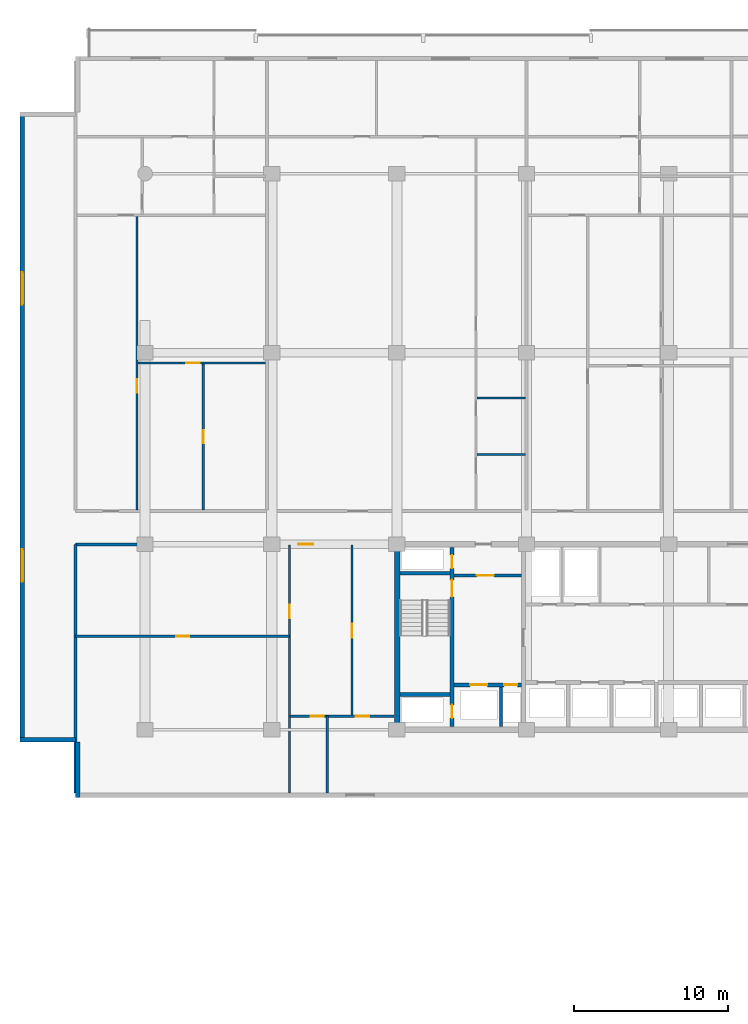
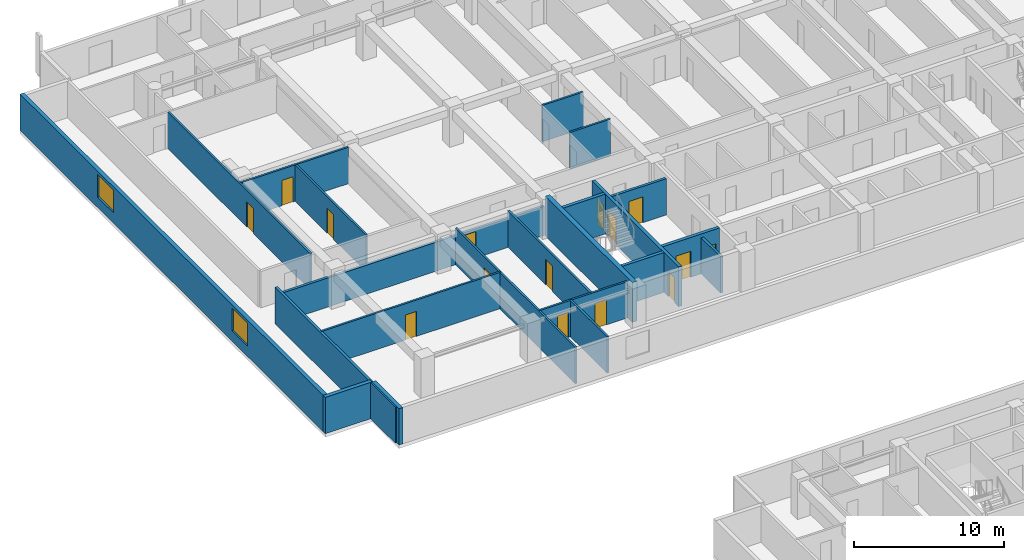
# One storey, part 9 of 23: 22 walls, 15 doors, 2 windows, 17 openings.
"""IFC4 building model written with IfcOpenShell, lengths in metres."""

from ifc_helpers import new_model, si_unit, direction, frame, frame_2d, origin, place, context, subcontext, project, spatial, rectangle, extrude, material, layer, layer_set, type_object, element, fill, save


model = new_model("IFC4")

# Units and contexts
model_context = context("Model", 3, precision=1e-05, world=origin(), true_north=direction((0.0, 1.0)))
body_context = subcontext(model_context, "Body", "Model", "MODEL_VIEW")
ifc_project = project(units=[si_unit("LENGTHUNIT", "METRE"), si_unit("AREAUNIT", "SQUARE_METRE"), si_unit("VOLUMEUNIT", "CUBIC_METRE"), si_unit("PLANEANGLEUNIT", "RADIAN"), si_unit("MASSUNIT", "GRAM", prefix="KILO")], contexts=[model_context])

# Site, building, storey
site_placement = place(None, origin())
site = spatial("IfcSite", under=ifc_project, at=site_placement, CompositionType="ELEMENT")
building_placement = place(site_placement, origin())
building = spatial("IfcBuilding", under=site, at=building_placement, Name="Korimba Cascade Residences", CompositionType="ELEMENT")
storey_placement = place(building_placement, frame((0.0, 0.0, 37.0)))
storey = spatial("IfcBuildingStorey", under=building, at=storey_placement, Name="L09", CompositionType="ELEMENT", Elevation=37.0)

# Wall, openings, windows
ifc_material_1 = material(Name="Precast concrete C40/50", Category="concrete")
ifc_layer_1 = layer(ifc_material_1, 0.300048828125)
ifc_layer_set_1 = layer_set([ifc_layer_1], Name="Precast concrete C40/50")
wall_type_1 = type_object("IfcWallType", Name="EW-STONE-300", PredefinedType="STANDARD", material=ifc_layer_set_1)
wall_1_placement = place(storey_placement, frame((51.85009765625, 95.199951171875, 0.0), z_axis=(0.0, 0.0, 1.0), x_axis=(0.0, -1.0, 0.0)))
wall_1 = element("IfcWall", 1, at=wall_1_placement, inside=storey, type_object=wall_type_1, Name="L09 T1 Perimeter Stone Wall E09", PredefinedType="STANDARD", context=body_context, shape_type="SweptSolid", body=[
    extrude(rectangle(XDim=40.800048828125, YDim=0.300048828125, at=frame_2d((20.39990234375, 0.0))), origin(), (0.0, 0.0, 1.0), 2.969970703125),
])
opening_1_placement = place(wall_1_placement, frame((10.3740234375, 0.0, 0.85009765625)))
opening_1 = element("IfcOpeningElement", 2, at=opening_1_placement, cuts=wall_1, Name="Opening W-03", PredefinedType="OPENING", context=body_context, shape_type="SweptSolid", body=[
    extrude(rectangle(XDim=2.10009765625, YDim=1.85009765625, at=frame_2d((1.050048828125, 0.925048828125))), frame((0.0, 0.16015625, 0.0), z_axis=(0.0, -1.0, 0.0), x_axis=(1.0, 0.0, 0.0)), (0.0, 0.0, 1.0), 0.320068359375),
])
opening_2_placement = place(wall_1_placement, frame((28.325927734375, 0.0, 0.85009765625)))
opening_2 = element("IfcOpeningElement", 3, at=opening_2_placement, cuts=wall_1, Name="Opening W-03", PredefinedType="OPENING", context=body_context, shape_type="SweptSolid", body=[
    extrude(rectangle(XDim=2.10009765625, YDim=1.85009765625, at=frame_2d((1.050048828125, 0.925048828125))), frame((0.0, 0.16015625, 0.0), z_axis=(0.0, -1.0, 0.0), x_axis=(1.0, 0.0, 0.0)), (0.0, 0.0, 1.0), 0.320068359375),
])
ifc_material_2 = material(Name="Double-Glazed Aluminium Window", Category="aluminium")
window_type = type_object("IfcWindowType", Name="WIN-CRN-2100", PartitioningType="DOUBLE_PANEL_HORIZONTAL", PredefinedType="WINDOW", material=ifc_material_2)
window_1_placement = place(opening_1_placement, origin())
window_1 = element("IfcWindow", 4, at=window_1_placement, inside=storey, type_object=window_type, Name="L09 T1 End View Window 9.1", OverallHeight=1.85009765625, OverallWidth=2.10009765625, PartitioningType="DOUBLE_PANEL_HORIZONTAL", PredefinedType="WINDOW", context=body_context, shape_type="SweptSolid", body=[
    extrude(rectangle(XDim=2.10009765625, YDim=1.85009765625, at=frame_2d((1.050048828125, 0.925048828125))), frame((0.0, 0.030029296875, 0.0), z_axis=(0.0, -1.0, 0.0), x_axis=(1.0, 0.0, 0.0)), (0.0, 0.0, 1.0), 0.06005859375),
])
fill(opening_1, window_1)
window_2_placement = place(opening_2_placement, origin())
window_2 = element("IfcWindow", 5, at=window_2_placement, inside=storey, type_object=window_type, Name="L09 T1 End View Window 9.2", OverallHeight=1.85009765625, OverallWidth=2.10009765625, PartitioningType="DOUBLE_PANEL_HORIZONTAL", PredefinedType="WINDOW", context=body_context, shape_type="SweptSolid", body=[
    extrude(rectangle(XDim=2.10009765625, YDim=1.85009765625, at=frame_2d((1.050048828125, 0.925048828125))), frame((0.0, 0.030029296875, 0.0), z_axis=(0.0, -1.0, 0.0), x_axis=(1.0, 0.0, 0.0)), (0.0, 0.0, 1.0), 0.06005859375),
])
fill(opening_2, window_2)

# Walls
wall_2_placement = place(storey_placement, frame((51.699951171875, 54.550048828125, 0.0), z_axis=(0.0, 0.0, 1.0), x_axis=(1.0, 0.0, 0.0)))
element("IfcWall", 6, at=wall_2_placement, inside=storey, type_object=wall_type_1, Name="L09 T1 Perimeter Stone Wall E10", PredefinedType="STANDARD", context=body_context, shape_type="SweptSolid", body=[
    extrude(rectangle(XDim=3.60009765625, YDim=0.300048828125, at=frame_2d((1.800048828125, 0.0))), origin(), (0.0, 0.0, 1.0), 2.969970703125),
])
wall_3_placement = place(storey_placement, frame((55.449951171875, 54.39990234375, 0.0), z_axis=(0.0, 0.0, 1.0), x_axis=(0.0, -1.0, 0.0)))
element("IfcWall", 7, at=wall_3_placement, inside=storey, type_object=wall_type_1, Name="L09 T1 Perimeter Stone Wall E11", PredefinedType="STANDARD", context=body_context, shape_type="SweptSolid", body=[
    extrude(rectangle(XDim=3.599853515625, YDim=0.300048828125, at=frame_2d((1.7998046875, 0.0))), origin(), (0.0, 0.0, 1.0), 2.969970703125),
])
ifc_material_3 = material(Name="Concrete C65/80", Category="concrete")
ifc_layer_2 = layer(ifc_material_3, 0.35009765625)
ifc_layer_set_2 = layer_set([ifc_layer_2], Name="Concrete C65/80")
wall_type_2 = type_object("IfcWallType", Name="WAL-CORE-350", PredefinedType="SHEAR", material=ifc_layer_set_2)
wall_4_placement = place(storey_placement, frame((76.125, 55.375, 0.0), z_axis=(0.0, 0.0, 1.0), x_axis=(0.0, 1.0, 0.0)))
element("IfcWall", 8, at=wall_4_placement, inside=storey, type_object=wall_type_2, Name="L09 Core Shear Wall CW-L09-T1-W", PredefinedType="SHEAR", context=body_context, shape_type="SweptSolid", body=[
    extrude(rectangle(XDim=11.64990234375, YDim=0.35009765625, at=frame_2d((5.824951171875, 0.0))), origin(), (0.0, 0.0, 1.0), 3.25),
])
ifc_layer_3 = layer(ifc_material_1, 0.199951171875)
ifc_layer_set_3 = layer_set([ifc_layer_3], Name="Precast concrete C40/50")
wall_type_3 = type_object("IfcWallType", Name="WAL-IT-200", PredefinedType="PARTITIONING", material=ifc_layer_set_3)
wall_5_placement = place(storey_placement, frame((55.300048828125, 51.10009765625, 0.0), z_axis=(0.0, 0.0, 1.0), x_axis=(0.0, 1.0, 0.0)))
element("IfcWall", 9, at=wall_5_placement, inside=storey, type_object=wall_type_3, Name="L09 Partition Wall WAL-L09-T1-FW-WL", PredefinedType="PARTITIONING", context=body_context, shape_type="SweptSolid", body=[
    extrude(rectangle(XDim=16.099853515625, YDim=0.199951171875, at=frame_2d((8.0498046875, 0.0))), origin(), (0.0, 0.0, 1.0), 2.969970703125),
])

# Wall, opening, door
wall_6_placement = place(storey_placement, frame((55.300048828125, 67.199951171875, 0.0), z_axis=(0.0, 0.0, 1.0), x_axis=(1.0, 0.0, 0.0)))
wall_6 = element("IfcWall", 10, at=wall_6_placement, inside=storey, type_object=wall_type_3, Name="L09 Partition Wall WAL-L09-T1-FW-N", PredefinedType="PARTITIONING", context=body_context, shape_type="SweptSolid", body=[
    extrude(rectangle(XDim=20.64990234375, YDim=0.199951171875, at=frame_2d((10.324951171875, 0.0))), origin(), (0.0, 0.0, 1.0), 2.3701171875),
])
opening_3_placement = place(wall_6_placement, frame((14.426025390625, 0.0, 0.0)))
opening_3 = element("IfcOpeningElement", 11, at=opening_3_placement, cuts=wall_6, Name="Opening D-UN1", PredefinedType="OPENING", context=body_context, shape_type="SweptSolid", body=[
    extrude(rectangle(XDim=0.949951171875, YDim=2.14990234375, at=frame_2d((0.47509765625, 1.074951171875))), frame((0.0, 0.10986328125, 0.0), z_axis=(0.0, -1.0, 0.0), x_axis=(1.0, 0.0, 0.0)), (0.0, 0.0, 1.0), 0.219970703125),
])
ifc_material_4 = material(Name="Fire-Rated Hardwood Apartment Entrance Door", Category="wood")
door_type_1 = type_object("IfcDoorType", Name="DR-FD60-950", OperationType="NOTDEFINED", PredefinedType="DOOR", material=ifc_material_4)
door_1_placement = place(opening_3_placement, origin())
door_1 = element("IfcDoor", 12, at=door_1_placement, inside=storey, type_object=door_type_1, Name="L09-T1-FW Entrance Door", OperationType="SINGLE_SWING_LEFT", OverallHeight=2.14990234375, OverallWidth=0.949951171875, PredefinedType="DOOR", context=body_context, shape_type="SweptSolid", body=[
    extrude(rectangle(XDim=0.949951171875, YDim=2.14990234375, at=frame_2d((0.47509765625, 1.074951171875))), frame((0.0, 0.02490234375, 0.0), z_axis=(0.0, -1.0, 0.0), x_axis=(1.0, 0.0, 0.0)), (0.0, 0.0, 1.0), 0.050048828125),
])
fill(opening_3, door_1)

ifc_material_5 = material(Name="Insulated Acoustic Stud Partition", Category="gypsum")
ifc_layer_4 = layer(ifc_material_5, 0.14990234375)
ifc_layer_set_4 = layer_set([ifc_layer_4], Name="Insulated Acoustic Stud Partition")
wall_type_4 = type_object("IfcWallType", Name="WAL-PART-150", PredefinedType="PARTITIONING", material=ifc_layer_set_4)
wall_7_placement = place(storey_placement, frame((55.300048828125, 61.25, 0.0), z_axis=(0.0, 0.0, 1.0), x_axis=(1.0, 0.0, 0.0)))
wall_7 = element("IfcWall", 13, at=wall_7_placement, inside=storey, type_object=wall_type_4, Name="L09 Partition Wall WAL-L09-T1-FW-STH", PredefinedType="PARTITIONING", context=body_context, shape_type="SweptSolid", body=[
    extrude(rectangle(XDim=13.849853515625, YDim=0.14990234375, at=frame_2d((6.9248046875, 0.0))), origin(), (0.0, 0.0, 1.0), 2.969970703125),
])
opening_4_placement = place(wall_7_placement, frame((6.5048828125, 0.0, 0.0)))
opening_4 = element("IfcOpeningElement", 14, at=opening_4_placement, cuts=wall_7, Name="Opening D-BT1", PredefinedType="OPENING", context=body_context, shape_type="SweptSolid", body=[
    extrude(rectangle(XDim=0.840087890625, YDim=2.0400390625, at=frame_2d((0.419921875, 1.02001953125))), frame((0.0, 0.0849609375, 0.0), z_axis=(0.0, -1.0, 0.0), x_axis=(1.0, 0.0, 0.0)), (0.0, 0.0, 1.0), 0.169921875),
])
ifc_material_6 = material(Name="Moisture-Resistant Bathroom Timber Door", Category="wood")
door_type_2 = type_object("IfcDoorType", Name="DR-INT-850", OperationType="NOTDEFINED", PredefinedType="DOOR", material=ifc_material_6)
door_2_placement = place(opening_4_placement, origin())
door_2 = element("IfcDoor", 15, at=door_2_placement, inside=storey, type_object=door_type_2, Name="L09-T1-FW Dressing Store Door", OperationType="SINGLE_SWING_RIGHT", OverallHeight=2.0400390625, OverallWidth=0.840087890625, PredefinedType="DOOR", context=body_context, shape_type="SweptSolid", body=[
    extrude(rectangle(XDim=0.840087890625, YDim=2.0400390625, at=frame_2d((0.419921875, 1.02001953125))), frame((0.0, 0.02490234375, 0.0), z_axis=(0.0, -1.0, 0.0), x_axis=(1.0, 0.0, 0.0)), (0.0, 0.0, 1.0), 0.050048828125),
])
fill(opening_4, door_2)

wall_8_placement = place(storey_placement, frame((69.14990234375, 51.10009765625, 0.0), z_axis=(0.0, 0.0, 1.0), x_axis=(0.0, 1.0, 0.0)))
wall_8 = element("IfcWall", 16, at=wall_8_placement, inside=storey, type_object=wall_type_4, Name="L09 Partition Wall WAL-L09-T1-FW-STV", PredefinedType="PARTITIONING", context=body_context, shape_type="SweptSolid", body=[
    extrude(rectangle(XDim=16.0498046875, YDim=0.14990234375, at=frame_2d((8.02490234375, 0.0))), origin(), (0.0, 0.0, 1.0), 2.969970703125),
])
opening_5_placement = place(wall_8_placement, frame((11.300048828125, 0.0, 0.0)))
opening_5 = element("IfcOpeningElement", 17, at=opening_5_placement, cuts=wall_8, Name="Opening D-IN2", PredefinedType="OPENING", context=body_context, shape_type="SweptSolid", body=[
    extrude(rectangle(XDim=0.8798828125, YDim=2.06005859375, at=frame_2d((0.43994140625, 1.030029296875))), frame((0.0, 0.0849609375, 0.0), z_axis=(0.0, -1.0, 0.0), x_axis=(1.0, 0.0, 0.0)), (0.0, 0.0, 1.0), 0.169921875),
])
ifc_material_7 = material(Name="Acoustic Timber Bedroom Door", Category="wood")
door_type_3 = type_object("IfcDoorType", Name="DR-INT-880", OperationType="NOTDEFINED", PredefinedType="DOOR", material=ifc_material_7)
door_3_placement = place(opening_5_placement, origin())
door_3 = element("IfcDoor", 18, at=door_3_placement, inside=storey, type_object=door_type_3, Name="L09-T1-FW Study Door", OperationType="SINGLE_SWING_LEFT", OverallHeight=2.06005859375, OverallWidth=0.8798828125, PredefinedType="DOOR", context=body_context, shape_type="SweptSolid", body=[
    extrude(rectangle(XDim=0.8798828125, YDim=2.06005859375, at=frame_2d((0.43994140625, 1.030029296875))), frame((0.0, 0.02490234375, 0.0), z_axis=(0.0, -1.0, 0.0), x_axis=(1.0, 0.0, 0.0)), (0.0, 0.0, 1.0), 0.050048828125),
])
fill(opening_5, door_3)

wall_9_placement = place(storey_placement, frame((73.199951171875, 56.070068359375, 0.0), z_axis=(0.0, 0.0, 1.0), x_axis=(0.0, 1.0, 0.0)))
wall_9 = element("IfcWall", 19, at=wall_9_placement, inside=storey, type_object=wall_type_4, Name="L09 Partition Wall WAL-L09-T1-FW-VN", PredefinedType="PARTITIONING", context=body_context, shape_type="SweptSolid", body=[
    extrude(rectangle(XDim=11.079833984375, YDim=0.14990234375, at=frame_2d((5.5400390625, 0.0))), origin(), (0.0, 0.0, 1.0), 2.969970703125),
])
opening_6_placement = place(wall_9_placement, frame((5.080078125, 0.0, 0.0)))
opening_6 = element("IfcOpeningElement", 20, at=opening_6_placement, cuts=wall_9, Name="Opening D-IN1", PredefinedType="OPENING", context=body_context, shape_type="SweptSolid", body=[
    extrude(rectangle(XDim=0.919921875, YDim=2.080078125, at=frame_2d((0.4599609375, 1.0400390625))), frame((0.0, 0.0849609375, 0.0), z_axis=(0.0, -1.0, 0.0), x_axis=(1.0, 0.0, 0.0)), (0.0, 0.0, 1.0), 0.169921875),
])
ifc_material_8 = material(Name="Acoustic Timber Living Door", Category="wood")
door_type_4 = type_object("IfcDoorType", Name="DR-INT-920", OperationType="NOTDEFINED", PredefinedType="DOOR", material=ifc_material_8)
door_4_placement = place(opening_6_placement, origin())
door_4 = element("IfcDoor", 21, at=door_4_placement, inside=storey, type_object=door_type_4, Name="L09-T1-FW Living Door", OperationType="SINGLE_SWING_RIGHT", OverallHeight=2.080078125, OverallWidth=0.919921875, PredefinedType="DOOR", context=body_context, shape_type="SweptSolid", body=[
    extrude(rectangle(XDim=0.919921875, YDim=2.080078125, at=frame_2d((0.4599609375, 1.0400390625))), frame((0.0, 0.02490234375, 0.0), z_axis=(0.0, -1.0, 0.0), x_axis=(1.0, 0.0, 0.0)), (0.0, 0.0, 1.0), 0.050048828125),
])
fill(opening_6, door_4)

# Wall
wall_10_placement = place(storey_placement, frame((71.60009765625, 51.10009765625, 0.0), z_axis=(0.0, 0.0, 1.0), x_axis=(0.0, 1.0, 0.0)))
element("IfcWall", 22, at=wall_10_placement, inside=storey, type_object=wall_type_4, Name="L09 Partition Wall WAL-L09-T1-FW-VS", PredefinedType="PARTITIONING", context=body_context, shape_type="SweptSolid", body=[
    extrude(rectangle(XDim=4.969970703125, YDim=0.14990234375, at=frame_2d((2.48486328125, 0.0))), origin(), (0.0, 0.0, 1.0), 2.969970703125),
])

# Wall, openings, doors
wall_11_placement = place(storey_placement, frame((69.169921875, 56.070068359375, 0.0), z_axis=(0.0, 0.0, 1.0), x_axis=(1.0, 0.0, 0.0)))
wall_11 = element("IfcWall", 23, at=wall_11_placement, inside=storey, type_object=wall_type_4, Name="L09 Partition Wall WAL-L09-T1-FW-H", PredefinedType="PARTITIONING", context=body_context, shape_type="SweptSolid", body=[
    extrude(rectangle(XDim=6.760009765625, YDim=0.14990234375, at=frame_2d((3.3798828125, 0.0))), origin(), (0.0, 0.0, 1.0), 2.969970703125),
])
opening_7_placement = place(wall_11_placement, frame((1.3623046875, 0.0, 0.0)))
opening_7 = element("IfcOpeningElement", 24, at=opening_7_placement, cuts=wall_11, Name="Opening D-BT1", PredefinedType="OPENING", context=body_context, shape_type="SweptSolid", body=[
    extrude(rectangle(XDim=0.840087890625, YDim=2.0400390625, at=frame_2d((0.419921875, 1.02001953125))), frame((0.0, 0.0849609375, 0.0), z_axis=(0.0, -1.0, 0.0), x_axis=(1.0, 0.0, 0.0)), (0.0, 0.0, 1.0), 0.169921875),
])
opening_8_placement = place(wall_11_placement, frame((4.276611328125, 0.0, 0.0)))
opening_8 = element("IfcOpeningElement", 25, at=opening_8_placement, cuts=wall_11, Name="Opening D-IN2", PredefinedType="OPENING", context=body_context, shape_type="SweptSolid", body=[
    extrude(rectangle(XDim=0.8798828125, YDim=2.06005859375, at=frame_2d((0.43994140625, 1.030029296875))), frame((0.0, 0.0849609375, 0.0), z_axis=(0.0, -1.0, 0.0), x_axis=(1.0, 0.0, 0.0)), (0.0, 0.0, 1.0), 0.169921875),
])
door_5_placement = place(opening_7_placement, origin())
door_5 = element("IfcDoor", 26, at=door_5_placement, inside=storey, type_object=door_type_2, Name="L09-T1-FW Bathroom Door", OperationType="SINGLE_SWING_LEFT", OverallHeight=2.0400390625, OverallWidth=0.840087890625, PredefinedType="DOOR", context=body_context, shape_type="SweptSolid", body=[
    extrude(rectangle(XDim=0.840087890625, YDim=2.0400390625, at=frame_2d((0.419921875, 1.02001953125))), frame((0.0, 0.02490234375, 0.0), z_axis=(0.0, -1.0, 0.0), x_axis=(1.0, 0.0, 0.0)), (0.0, 0.0, 1.0), 0.050048828125),
])
fill(opening_7, door_5)
door_6_placement = place(opening_8_placement, origin())
door_6 = element("IfcDoor", 27, at=door_6_placement, inside=storey, type_object=door_type_3, Name="L09-T1-FW Bedroom Door", OperationType="SINGLE_SWING_RIGHT", OverallHeight=2.06005859375, OverallWidth=0.8798828125, PredefinedType="DOOR", context=body_context, shape_type="SweptSolid", body=[
    extrude(rectangle(XDim=0.8798828125, YDim=2.06005859375, at=frame_2d((0.43994140625, 1.030029296875))), frame((0.0, 0.02490234375, 0.0), z_axis=(0.0, -1.0, 0.0), x_axis=(1.0, 0.0, 0.0)), (0.0, 0.0, 1.0), 0.050048828125),
])
fill(opening_8, door_6)

# Wall, opening, door
wall_12_placement = place(storey_placement, frame((63.565185546875, 69.409912109375, 0.0), z_axis=(0.0, 0.0, 1.0), x_axis=(0.0, 1.0, 0.0)))
wall_12 = element("IfcWall", 28, at=wall_12_placement, inside=storey, type_object=wall_type_4, Name="L09 Partition Wall WAL-L09-T1-U01-FMV", PredefinedType="PARTITIONING", context=body_context, shape_type="SweptSolid", body=[
    extrude(rectangle(XDim=9.525146484375, YDim=0.14990234375, at=frame_2d((4.7626953125, 0.0))), origin(), (0.0, 0.0, 1.0), 2.969970703125),
])
opening_9_placement = place(wall_12_placement, frame((4.342529296875, 0.0, 0.0)))
opening_9 = element("IfcOpeningElement", 29, at=opening_9_placement, cuts=wall_12, Name="Opening D-BT1", PredefinedType="OPENING", context=body_context, shape_type="SweptSolid", body=[
    extrude(rectangle(XDim=0.840087890625, YDim=2.0400390625, at=frame_2d((0.419921875, 1.02001953125))), frame((0.0, 0.0849609375, 0.0), z_axis=(0.0, -1.0, 0.0), x_axis=(1.0, 0.0, 0.0)), (0.0, 0.0, 1.0), 0.169921875),
])
door_7_placement = place(opening_9_placement, origin())
door_7 = element("IfcDoor", 30, at=door_7_placement, inside=storey, type_object=door_type_2, Name="L09-T1-U01 Wardrobe Door", OperationType="SINGLE_SWING_RIGHT", OverallHeight=2.0400390625, OverallWidth=0.840087890625, PredefinedType="DOOR", context=body_context, shape_type="SweptSolid", body=[
    extrude(rectangle(XDim=0.840087890625, YDim=2.0400390625, at=frame_2d((0.419921875, 1.02001953125))), frame((0.0, 0.02490234375, 0.0), z_axis=(0.0, -1.0, 0.0), x_axis=(1.0, 0.0, 0.0)), (0.0, 0.0, 1.0), 0.050048828125),
])
fill(opening_9, door_7)

wall_13_placement = place(storey_placement, frame((59.330078125, 78.93505859375, 0.0), z_axis=(0.0, 0.0, 1.0), x_axis=(1.0, 0.0, 0.0)))
wall_13 = element("IfcWall", 31, at=wall_13_placement, inside=storey, type_object=wall_type_4, Name="L09 Partition Wall WAL-L09-T1-U01-FMH", PredefinedType="PARTITIONING", context=body_context, shape_type="SweptSolid", body=[
    extrude(rectangle(XDim=8.27001953125, YDim=0.14990234375, at=frame_2d((4.135009765625, 0.0))), origin(), (0.0, 0.0, 1.0), 2.969970703125),
])
opening_10_placement = place(wall_13_placement, frame((3.135009765625, 0.0, 0.0)))
opening_10 = element("IfcOpeningElement", 32, at=opening_10_placement, cuts=wall_13, Name="Opening D-IN2", PredefinedType="OPENING", context=body_context, shape_type="SweptSolid", body=[
    extrude(rectangle(XDim=0.8798828125, YDim=2.06005859375, at=frame_2d((0.43994140625, 1.030029296875))), frame((0.0, 0.0849609375, 0.0), z_axis=(0.0, -1.0, 0.0), x_axis=(1.0, 0.0, 0.0)), (0.0, 0.0, 1.0), 0.169921875),
])
door_8_placement = place(opening_10_placement, origin())
door_8 = element("IfcDoor", 33, at=door_8_placement, inside=storey, type_object=door_type_3, Name="L09-T1-U01 Library Salon Door", OperationType="SINGLE_SWING_LEFT", OverallHeight=2.06005859375, OverallWidth=0.8798828125, PredefinedType="DOOR", context=body_context, shape_type="SweptSolid", body=[
    extrude(rectangle(XDim=0.8798828125, YDim=2.06005859375, at=frame_2d((0.43994140625, 1.030029296875))), frame((0.0, 0.02490234375, 0.0), z_axis=(0.0, -1.0, 0.0), x_axis=(1.0, 0.0, 0.0)), (0.0, 0.0, 1.0), 0.050048828125),
])
fill(opening_10, door_8)

wall_14_placement = place(storey_placement, frame((59.27001953125, 69.409912109375, 0.0), z_axis=(0.0, 0.0, 1.0), x_axis=(0.0, 1.0, 0.0)))
wall_14 = element("IfcWall", 34, at=wall_14_placement, inside=storey, type_object=wall_type_4, Name="L09 Partition Wall WAL-L09-T1-U01-FV", PredefinedType="PARTITIONING", context=body_context, shape_type="SweptSolid", body=[
    extrude(rectangle(XDim=19.050048828125, YDim=0.14990234375, at=frame_2d((9.52490234375, 0.0))), origin(), (0.0, 0.0, 1.0), 2.969970703125),
])
opening_11_placement = place(wall_14_placement, frame((7.590576171875, 0.0, 0.0)))
opening_11 = element("IfcOpeningElement", 35, at=opening_11_placement, cuts=wall_14, Name="Opening D-IN2", PredefinedType="OPENING", context=body_context, shape_type="SweptSolid", body=[
    extrude(rectangle(XDim=0.8798828125, YDim=2.06005859375, at=frame_2d((0.43994140625, 1.030029296875))), frame((0.0, 0.0849609375, 0.0), z_axis=(0.0, -1.0, 0.0), x_axis=(1.0, 0.0, 0.0)), (0.0, 0.0, 1.0), 0.169921875),
])
door_9_placement = place(opening_11_placement, origin())
door_9 = element("IfcDoor", 36, at=door_9_placement, inside=storey, type_object=door_type_3, Name="L09-T1-U01 Media Lounge Door", OperationType="SINGLE_SWING_RIGHT", OverallHeight=2.06005859375, OverallWidth=0.8798828125, PredefinedType="DOOR", context=body_context, shape_type="SweptSolid", body=[
    extrude(rectangle(XDim=0.8798828125, YDim=2.06005859375, at=frame_2d((0.43994140625, 1.030029296875))), frame((0.0, 0.02490234375, 0.0), z_axis=(0.0, -1.0, 0.0), x_axis=(1.0, 0.0, 0.0)), (0.0, 0.0, 1.0), 0.050048828125),
])
fill(opening_11, door_9)

# Walls
for number, where, z_axis, x_axis, name in (
    (37, (81.289306640625, 73.02001953125, 0.0), (0.0, 0.0, 1.0), (1.0, 0.0, 0.0), "L09 Partition Wall WAL-L09-T1-U02-WCH"),
    (38, (81.289306640625, 76.669921875, 0.0), (0.0, 0.0, 1.0), (1.0, 0.0, 0.0), "L09 Partition Wall WAL-L09-T1-U02-WCH2"),
):
    element("IfcWall", number, at=place(storey_placement, frame(where, z_axis=z_axis, x_axis=x_axis)), inside=storey, type_object=wall_type_4, Name=name, PredefinedType="PARTITIONING", context=body_context, shape_type="SweptSolid", body=[
        extrude(rectangle(XDim=3.130126953125, YDim=0.14990234375, at=frame_2d((1.56494140625, 0.0))), origin(), (0.0, 0.0, 1.0), 2.969970703125),
    ])
ifc_material_9 = material(Name="Concrete C40/50", Category="concrete")
ifc_layer_5 = layer(ifc_material_9, 0.199951171875)
ifc_layer_set_5 = layer_set([ifc_layer_5], Name="Concrete C40/50")
wall_type_5 = type_object("IfcWallType", Name="WAL-PART-200", PredefinedType="PARTITIONING", material=ifc_layer_set_5)
wall_15_placement = place(storey_placement, frame((82.85009765625, 55.39990234375, 0.0), z_axis=(0.0, 0.0, 1.0), x_axis=(0.0, 1.0, 0.0)))
element("IfcWall", 39, at=wall_15_placement, inside=storey, type_object=wall_type_5, Name="L09 Partition Wall CW-L09-T1-FFLDIV", PredefinedType="PARTITIONING", context=body_context, shape_type="SweptSolid", body=[
    extrude(rectangle(XDim=2.56005859375, YDim=0.199951171875, at=frame_2d((1.280029296875, 0.0))), origin(), (0.0, 0.0, 1.0), 2.969970703125),
])

# Wall, opening, door
wall_16_placement = place(storey_placement, frame((79.7900390625, 65.179931640625, 0.0), z_axis=(0.0, 0.0, 1.0), x_axis=(1.0, 0.0, 0.0)))
wall_16 = element("IfcWall", 40, at=wall_16_placement, inside=storey, type_object=wall_type_5, Name="L09 Partition Wall CW-L09-T1-FFLN", PredefinedType="PARTITIONING", context=body_context, shape_type="SweptSolid", body=[
    extrude(rectangle(XDim=4.389892578125, YDim=0.199951171875, at=frame_2d((2.19482421875, 0.0))), origin(), (0.0, 0.0, 1.0), 2.969970703125),
])
opening_12_placement = place(wall_16_placement, frame((1.5, 0.0, 0.0)))
opening_12 = element("IfcOpeningElement", 41, at=opening_12_placement, cuts=wall_16, Name="Opening D-FD1", PredefinedType="OPENING", context=body_context, shape_type="SweptSolid", body=[
    extrude(rectangle(XDim=1.10009765625, YDim=2.10009765625, at=frame_2d((0.550048828125, 1.050048828125))), frame((0.0, 0.10986328125, 0.0), z_axis=(0.0, -1.0, 0.0), x_axis=(1.0, 0.0, 0.0)), (0.0, 0.0, 1.0), 0.219970703125),
])
ifc_material_10 = material(Name="Fire-Rated Steel Core Door", Category="steel")
door_type_5 = type_object("IfcDoorType", Name="DR-FD120-1100", OperationType="NOTDEFINED", PredefinedType="DOOR", material=ifc_material_10)
door_10_placement = place(opening_12_placement, origin())
door_10 = element("IfcDoor", 42, at=door_10_placement, inside=storey, type_object=door_type_5, Name="L09 West Firefighting Lobby Door", OperationType="SINGLE_SWING_RIGHT", OverallHeight=2.10009765625, OverallWidth=1.10009765625, PredefinedType="DOOR", context=body_context, shape_type="SweptSolid", body=[
    extrude(rectangle(XDim=1.10009765625, YDim=2.10009765625, at=frame_2d((0.550048828125, 1.050048828125))), frame((0.0, 0.02490234375, 0.0), z_axis=(0.0, -1.0, 0.0), x_axis=(1.0, 0.0, 0.0)), (0.0, 0.0, 1.0), 0.050048828125),
])
fill(opening_12, door_10)

# Wall, openings, doors
ifc_material_11 = material(Name="Concrete C50/60", Category="concrete")
ifc_layer_6 = layer(ifc_material_11, 0.25)
ifc_layer_set_6 = layer_set([ifc_layer_6], Name="Concrete C50/60")
wall_type_6 = type_object("IfcWallType", Name="WAL-SHAFT-250", PredefinedType="SHEAR", material=ifc_layer_set_6)
wall_17_placement = place(storey_placement, frame((79.6650390625, 55.39990234375, 0.0), z_axis=(0.0, 0.0, 1.0), x_axis=(0.0, 1.0, 0.0)))
wall_17 = element("IfcWall", 43, at=wall_17_placement, inside=storey, type_object=wall_type_6, Name="L09 Core Shear Wall CW-L09-T1-STW1E", PredefinedType="SHEAR", context=body_context, shape_type="SweptSolid", body=[
    extrude(rectangle(XDim=11.60009765625, YDim=0.25, at=frame_2d((5.800048828125, 0.0))), origin(), (0.0, 0.0, 1.0), 3.25),
])
opening_13_placement = place(wall_17_placement, frame((0.550048828125, 0.0, 0.0)))
opening_13 = element("IfcOpeningElement", 44, at=opening_13_placement, cuts=wall_17, Name="Opening D-RS1", PredefinedType="OPENING", context=body_context, shape_type="SweptSolid", body=[
    extrude(rectangle(XDim=0.85009765625, YDim=2.050048828125, at=frame_2d((0.425048828125, 1.02490234375))), frame((0.0, 0.135009765625, 0.0), z_axis=(0.0, -1.0, 0.0), x_axis=(1.0, 0.0, 0.0)), (0.0, 0.0, 1.0), 0.27001953125),
])
opening_14_placement = place(wall_17_placement, frame((8.39990234375, 0.0, 0.0)))
opening_14 = element("IfcOpeningElement", 45, at=opening_14_placement, cuts=wall_17, Name="Opening D-FD1", PredefinedType="OPENING", context=body_context, shape_type="SweptSolid", body=[
    extrude(rectangle(XDim=1.10009765625, YDim=2.10009765625, at=frame_2d((0.550048828125, 1.050048828125))), frame((0.0, 0.135009765625, 0.0), z_axis=(0.0, -1.0, 0.0), x_axis=(1.0, 0.0, 0.0)), (0.0, 0.0, 1.0), 0.27001953125),
])
opening_15_placement = place(wall_17_placement, frame((10.25, 0.0, 0.0)))
opening_15 = element("IfcOpeningElement", 46, at=opening_15_placement, cuts=wall_17, Name="Opening D-RS1", PredefinedType="OPENING", context=body_context, shape_type="SweptSolid", body=[
    extrude(rectangle(XDim=0.85009765625, YDim=2.050048828125, at=frame_2d((0.425048828125, 1.02490234375))), frame((0.0, 0.135009765625, 0.0), z_axis=(0.0, -1.0, 0.0), x_axis=(1.0, 0.0, 0.0)), (0.0, 0.0, 1.0), 0.27001953125),
])
door_11_placement = place(opening_14_placement, origin())
door_11 = element("IfcDoor", 47, at=door_11_placement, inside=storey, type_object=door_type_5, Name="L09 Fire Stair ST-W1 Door", OperationType="SINGLE_SWING_LEFT", OverallHeight=2.10009765625, OverallWidth=1.10009765625, PredefinedType="DOOR", context=body_context, shape_type="SweptSolid", body=[
    extrude(rectangle(XDim=1.10009765625, YDim=2.10009765625, at=frame_2d((0.550048828125, 1.050048828125))), frame((0.0, 0.02490234375, 0.0), z_axis=(0.0, -1.0, 0.0), x_axis=(1.0, 0.0, 0.0)), (0.0, 0.0, 1.0), 0.050048828125),
])
fill(opening_14, door_11)
ifc_material_12 = material(Name="Fire-Rated Steel Riser Access Door", Category="steel")
door_type_6 = type_object("IfcDoorType", Name="DR-FD60-850", OperationType="NOTDEFINED", PredefinedType="DOOR", material=ifc_material_12)
door_12_placement = place(opening_13_placement, origin())
door_12 = element("IfcDoor", 48, at=door_12_placement, inside=storey, type_object=door_type_6, Name="L09 Smoke Riser Access Door", OperationType="SINGLE_SWING_RIGHT", OverallHeight=2.050048828125, OverallWidth=0.85009765625, PredefinedType="DOOR", context=body_context, shape_type="SweptSolid", body=[
    extrude(rectangle(XDim=0.85009765625, YDim=2.050048828125, at=frame_2d((0.425048828125, 1.02490234375))), frame((0.0, 0.02490234375, 0.0), z_axis=(0.0, -1.0, 0.0), x_axis=(1.0, 0.0, 0.0)), (0.0, 0.0, 1.0), 0.050048828125),
])
fill(opening_13, door_12)
door_13_placement = place(opening_15_placement, origin())
door_13 = element("IfcDoor", 49, at=door_13_placement, inside=storey, type_object=door_type_6, Name="L09 Hydrant Riser Access Door", OperationType="SINGLE_SWING_RIGHT", OverallHeight=2.050048828125, OverallWidth=0.85009765625, PredefinedType="DOOR", context=body_context, shape_type="SweptSolid", body=[
    extrude(rectangle(XDim=0.85009765625, YDim=2.050048828125, at=frame_2d((0.425048828125, 1.02490234375))), frame((0.0, 0.02490234375, 0.0), z_axis=(0.0, -1.0, 0.0), x_axis=(1.0, 0.0, 0.0)), (0.0, 0.0, 1.0), 0.050048828125),
])
fill(opening_15, door_13)

# Walls
for number, where, z_axis, x_axis, name in (
    (50, (76.300048828125, 57.47509765625, 0.0), (0.0, 0.0, 1.0), (1.0, 0.0, 0.0), "L09 Core Shear Wall CW-L09-T1-STW1S"),
    (51, (76.300048828125, 65.324951171875, 0.0), (0.0, 0.0, 1.0), (1.0, 0.0, 0.0), "L09 Core Shear Wall CW-L09-T1-STW1N"),
):
    element("IfcWall", number, at=place(storey_placement, frame(where, z_axis=z_axis, x_axis=x_axis)), inside=storey, type_object=wall_type_6, Name=name, PredefinedType="SHEAR", context=body_context, shape_type="SweptSolid", body=[
        extrude(rectangle(XDim=3.239990234375, YDim=0.25, at=frame_2d((1.6201171875, 0.0))), origin(), (0.0, 0.0, 1.0), 3.25),
    ])

# Wall, openings, doors
wall_18_placement = place(storey_placement, frame((79.7900390625, 58.10009765625, 0.0), z_axis=(0.0, 0.0, 1.0), x_axis=(1.0, 0.0, 0.0)))
wall_18 = element("IfcWall", 52, at=wall_18_placement, inside=storey, type_object=wall_type_6, Name="L09 Core Shear Wall CW-L09-T1-FFLS", PredefinedType="SHEAR", context=body_context, shape_type="SweptSolid", body=[
    extrude(rectangle(XDim=4.389892578125, YDim=0.25, at=frame_2d((2.19482421875, 0.0))), origin(), (0.0, 0.0, 1.0), 3.25),
])
opening_16_placement = place(wall_18_placement, frame((1.050048828125, 0.0, 0.0)))
opening_16 = element("IfcOpeningElement", 53, at=opening_16_placement, cuts=wall_18, Name="Opening LD-01", PredefinedType="OPENING", context=body_context, shape_type="SweptSolid", body=[
    extrude(rectangle(XDim=1.1201171875, YDim=2.1201171875, at=frame_2d((0.56005859375, 1.06005859375))), frame((0.0, 0.135009765625, 0.0), z_axis=(0.0, -1.0, 0.0), x_axis=(1.0, 0.0, 0.0)), (0.0, 0.0, 1.0), 0.27001953125),
])
opening_17_placement = place(wall_18_placement, frame((3.260009765625, 0.0, 0.0)))
opening_17 = element("IfcOpeningElement", 54, at=opening_17_placement, cuts=wall_18, Name="Opening D-RS1", PredefinedType="OPENING", context=body_context, shape_type="SweptSolid", body=[
    extrude(rectangle(XDim=0.85009765625, YDim=2.050048828125, at=frame_2d((0.425048828125, 1.02490234375))), frame((0.0, 0.135009765625, 0.0), z_axis=(0.0, -1.0, 0.0), x_axis=(1.0, 0.0, 0.0)), (0.0, 0.0, 1.0), 0.27001953125),
])
door_14_placement = place(opening_17_placement, origin())
door_14 = element("IfcDoor", 55, at=door_14_placement, inside=storey, type_object=door_type_6, Name="L09 Pressurisation Riser Door", OperationType="SINGLE_SWING_LEFT", OverallHeight=2.050048828125, OverallWidth=0.85009765625, PredefinedType="DOOR", context=body_context, shape_type="SweptSolid", body=[
    extrude(rectangle(XDim=0.85009765625, YDim=2.050048828125, at=frame_2d((0.425048828125, 1.02490234375))), frame((0.0, 0.02490234375, 0.0), z_axis=(0.0, -1.0, 0.0), x_axis=(1.0, 0.0, 0.0)), (0.0, 0.0, 1.0), 0.050048828125),
])
fill(opening_17, door_14)
ifc_material_13 = material(Name="Stainless Steel Lift Landing Sliding Door", Category="steel")
door_type_7 = type_object("IfcDoorType", Name="DR-LIFT-1100", OperationType="NOTDEFINED", PredefinedType="DOOR", material=ifc_material_13)
door_15_placement = place(opening_16_placement, origin())
door_15 = element("IfcDoor", 56, at=door_15_placement, inside=storey, type_object=door_type_7, Name="L09 Firefighting Lift Landing Door FFL-W1", OperationType="SLIDING_TO_LEFT", OverallHeight=2.1201171875, OverallWidth=1.1201171875, PredefinedType="DOOR", context=body_context, shape_type="SweptSolid", body=[
    extrude(rectangle(XDim=1.1201171875, YDim=2.1201171875, at=frame_2d((0.56005859375, 1.06005859375))), frame((0.0, 0.02490234375, 0.0), z_axis=(0.0, -1.0, 0.0), x_axis=(1.0, 0.0, 0.0)), (0.0, 0.0, 1.0), 0.050048828125),
])
fill(opening_16, door_15)

save(model, "model.ifc")
